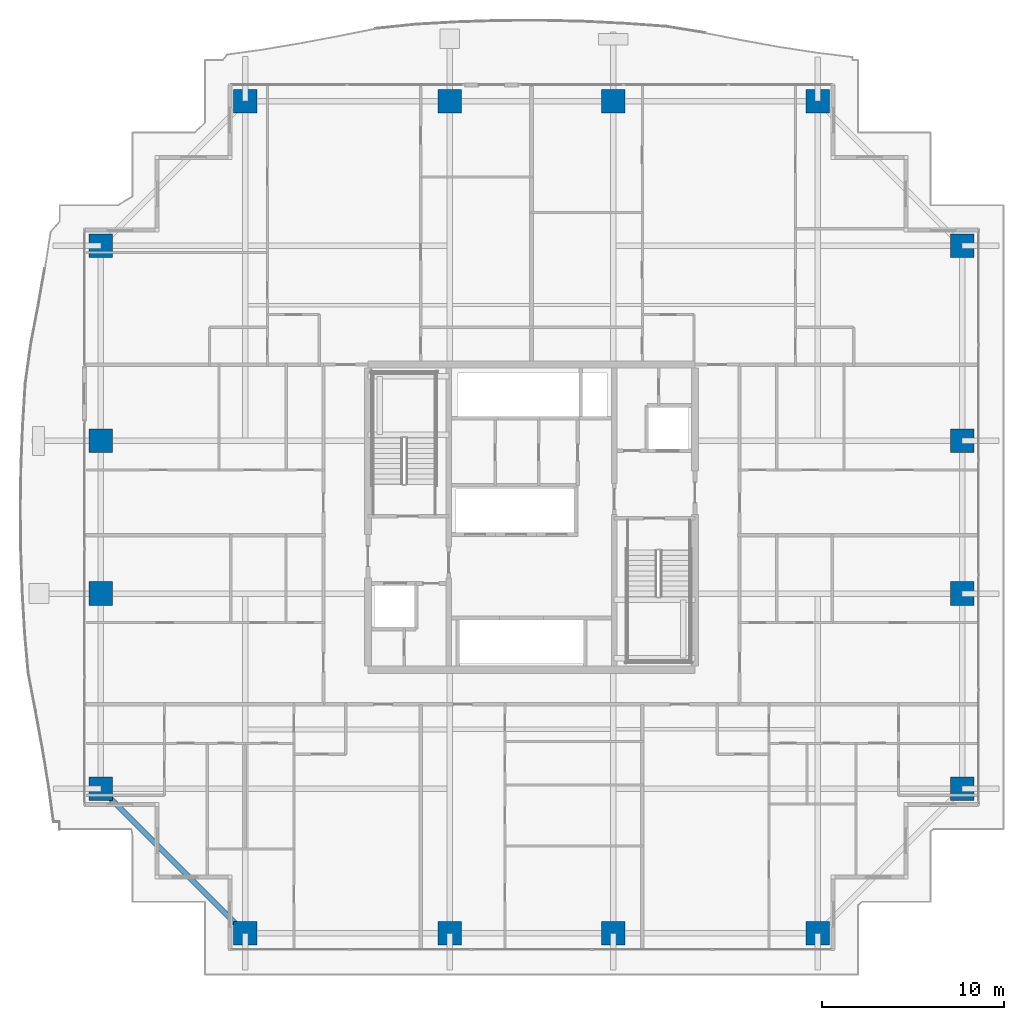
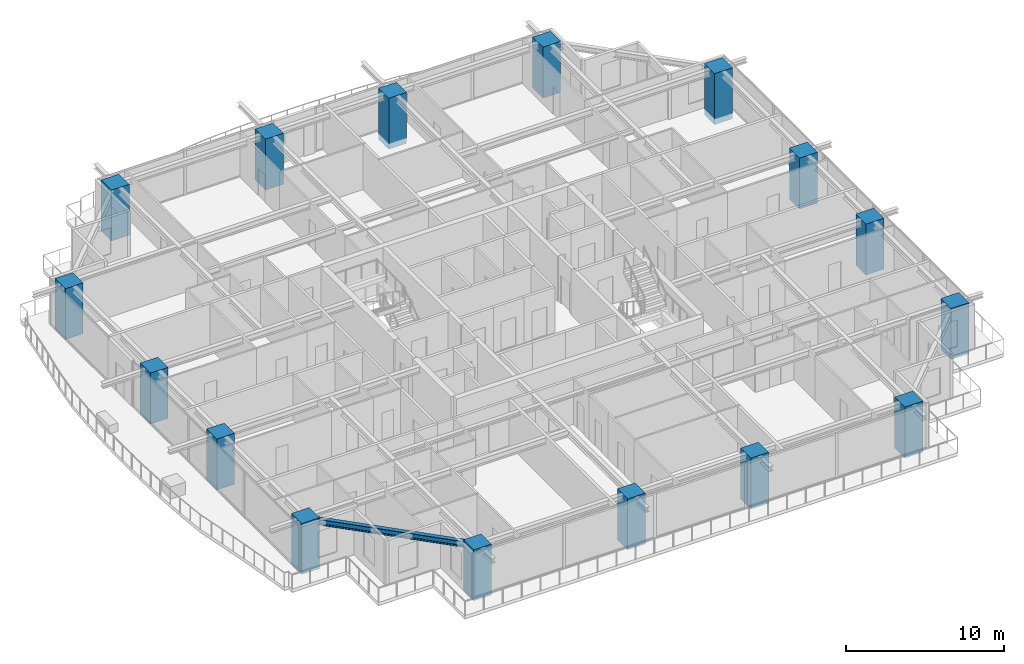
# One storey, part 1 of 38: 16 columns, 1 beam.
"""IFC4 building model written with IfcOpenShell, lengths in metres."""

from ifc_helpers import new_model, si_unit, direction, frame, origin, origin_2d, place, context, subcontext, project, spatial, rectangle, i_section, extrude, source, transform, mapped, material, material_profile, profile_set, type_object, element, save


model = new_model("IFC4")

# Units and contexts
model_context = context("Model", 3, precision=1e-05, world=origin(), true_north=direction((0.0, 1.0)))
body_context = subcontext(model_context, "Body", "Model", "MODEL_VIEW")
ifc_project = project(units=[si_unit("LENGTHUNIT", "METRE"), si_unit("AREAUNIT", "SQUARE_METRE"), si_unit("VOLUMEUNIT", "CUBIC_METRE"), si_unit("PLANEANGLEUNIT", "RADIAN"), si_unit("MASSUNIT", "GRAM", prefix="KILO")], contexts=[model_context])

# Site, building, storey
site_placement = place(None, origin())
site = spatial("IfcSite", under=ifc_project, at=site_placement, CompositionType="ELEMENT")
building_placement = place(site_placement, origin())
building = spatial("IfcBuilding", under=site, at=building_placement, Name="Serunith Strait Residences", CompositionType="ELEMENT")
storey_placement = place(building_placement, frame((0.0, 0.0, 120.14990234375)))
storey = spatial("IfcBuildingStorey", under=building, at=storey_placement, Name="L29", CompositionType="ELEMENT", Elevation=120.14990234375)

# Columns
ifc_material_1 = material(Name="Concrete C80/95", Category="concrete")
ifc_material_profile_1 = material_profile(ifc_material_1, rectangle(XDim=1.300048828125, YDim=1.300048828125, at=origin_2d()), Name="RC 1300x1300")
ifc_profile_set_1 = profile_set([ifc_material_profile_1], Name="Concrete C80/95")
column_type = type_object("IfcColumnType", Name="COL-RC-1300", PredefinedType="COLUMN", material=ifc_profile_set_1)
shared_shape_1 = source(origin(), body_context, "Body", "SweptSolid", [
    extrude(rectangle(XDim=1.300048828125, YDim=1.300048828125, at=origin_2d()), origin(), (0.0, 0.0, 1.0), 3.929931640625),
])
for number, where, z_axis, x_axis, name in (
    (1, (16.64990234375, 2.300048828125, -0.43994140625), (0.0, 0.0, 1.0), (1.0, 0.0, 0.0), "L29 Tower Mega-Column TC-S1"),
    (2, (27.89990234375, 2.300048828125, -0.43994140625), (0.0, 0.0, 1.0), (1.0, 0.0, 0.0), "L29 Tower Mega-Column TC-S2"),
    (3, (36.89990234375, 2.300048828125, -0.43994140625), (0.0, 0.0, 1.0), (1.0, 0.0, 0.0), "L29 Tower Mega-Column TC-S3"),
    (4, (48.14990234375, 2.300048828125, -0.43994140625), (0.0, 0.0, 1.0), (1.0, 0.0, 0.0), "L29 Tower Mega-Column TC-S4"),
    (5, (16.64990234375, 48.10009765625, -0.43994140625), (0.0, 0.0, 1.0), (1.0, 0.0, 0.0), "L29 Tower Mega-Column TC-N1"),
    (6, (27.89990234375, 48.10009765625, -0.43994140625), (0.0, 0.0, 1.0), (1.0, 0.0, 0.0), "L29 Tower Mega-Column TC-N2"),
    (7, (36.89990234375, 48.10009765625, -0.43994140625), (0.0, 0.0, 1.0), (1.0, 0.0, 0.0), "L29 Tower Mega-Column TC-N3"),
    (8, (48.14990234375, 48.10009765625, -0.43994140625), (0.0, 0.0, 1.0), (1.0, 0.0, 0.0), "L29 Tower Mega-Column TC-N4"),
    (9, (56.10009765625, 10.25, -0.43994140625), (0.0, 0.0, 1.0), (1.0, 0.0, 0.0), "L29 Tower Mega-Column TC-E1"),
    (10, (56.10009765625, 21.0, -0.43994140625), (0.0, 0.0, 1.0), (1.0, 0.0, 0.0), "L29 Tower Mega-Column TC-E2"),
    (11, (56.10009765625, 29.39990234375, -0.43994140625), (0.0, 0.0, 1.0), (1.0, 0.0, 0.0), "L29 Tower Mega-Column TC-E3"),
    (12, (56.10009765625, 40.14990234375, -0.43994140625), (0.0, 0.0, 1.0), (1.0, 0.0, 0.0), "L29 Tower Mega-Column TC-E4"),
    (13, (8.699951171875, 10.25, -0.43994140625), (0.0, 0.0, 1.0), (1.0, 0.0, 0.0), "L29 Tower Mega-Column TC-W1"),
    (14, (8.699951171875, 21.0, -0.43994140625), (0.0, 0.0, 1.0), (1.0, 0.0, 0.0), "L29 Tower Mega-Column TC-W2"),
    (15, (8.699951171875, 29.39990234375, -0.43994140625), (0.0, 0.0, 1.0), (1.0, 0.0, 0.0), "L29 Tower Mega-Column TC-W3"),
    (16, (8.699951171875, 40.14990234375, -0.43994140625), (0.0, 0.0, 1.0), (1.0, 0.0, 0.0), "L29 Tower Mega-Column TC-W4"),
):
    element("IfcColumn", number, at=place(storey_placement, frame(where, z_axis=z_axis, x_axis=x_axis)), inside=storey, type_object=column_type, Name=name, PredefinedType="COLUMN", context=body_context, shape_type="MappedRepresentation", body=[
        mapped(shared_shape_1, transform((0.0, 0.0, 0.0), scale=1.0)),
    ])

# Beam
ifc_material_2 = material(Name="Steel S355J2", Category="steel")
ifc_material_profile_2 = material_profile(ifc_material_2, i_section(OverallWidth=0.300048828125, OverallDepth=0.449951171875, WebThickness=0.013916015625, FlangeThickness=0.02587890625, FilletRadius=0.027099609375, at=origin_2d()), Name="HEB 450")
ifc_profile_set_2 = profile_set([ifc_material_profile_2], Name="Steel S355J2")
beam_type = type_object("IfcBeamType", Name="BM-HEB450", PredefinedType="BEAM", material=ifc_profile_set_2)
shared_shape_2 = source(origin(), body_context, "Body", "SweptSolid", [
    extrude(i_section(OverallWidth=0.300048828125, OverallDepth=0.449951171875, WebThickness=0.013916015625, FlangeThickness=0.02587890625, FilletRadius=0.027099609375, at=origin_2d()), origin(), (0.0, 0.0, 1.0), 11.242919921875),
])
beam_placement = place(storey_placement, frame((8.699951171875, 10.25, 3.232177734375), z_axis=(0.707106781187, -0.707106781187, 0.0), x_axis=(0.707106781187, 0.707106781187, 0.0)))
element("IfcBeam", 17, at=beam_placement, inside=storey, type_object=beam_type, Name="L29 Perimeter Ring Beam 16", PredefinedType="BEAM", context=body_context, shape_type="MappedRepresentation", body=[
    mapped(shared_shape_2, transform((0.0, 0.0, 0.0), scale=1.0)),
])

save(model, "model.ifc")
